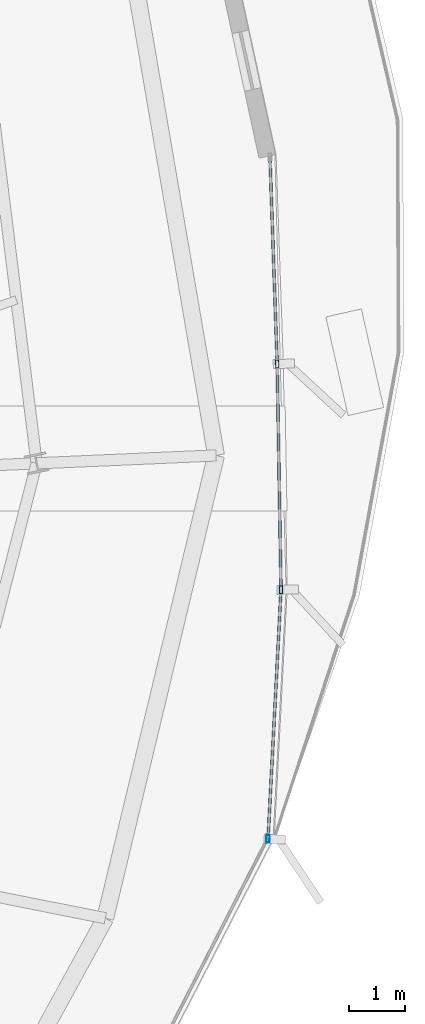
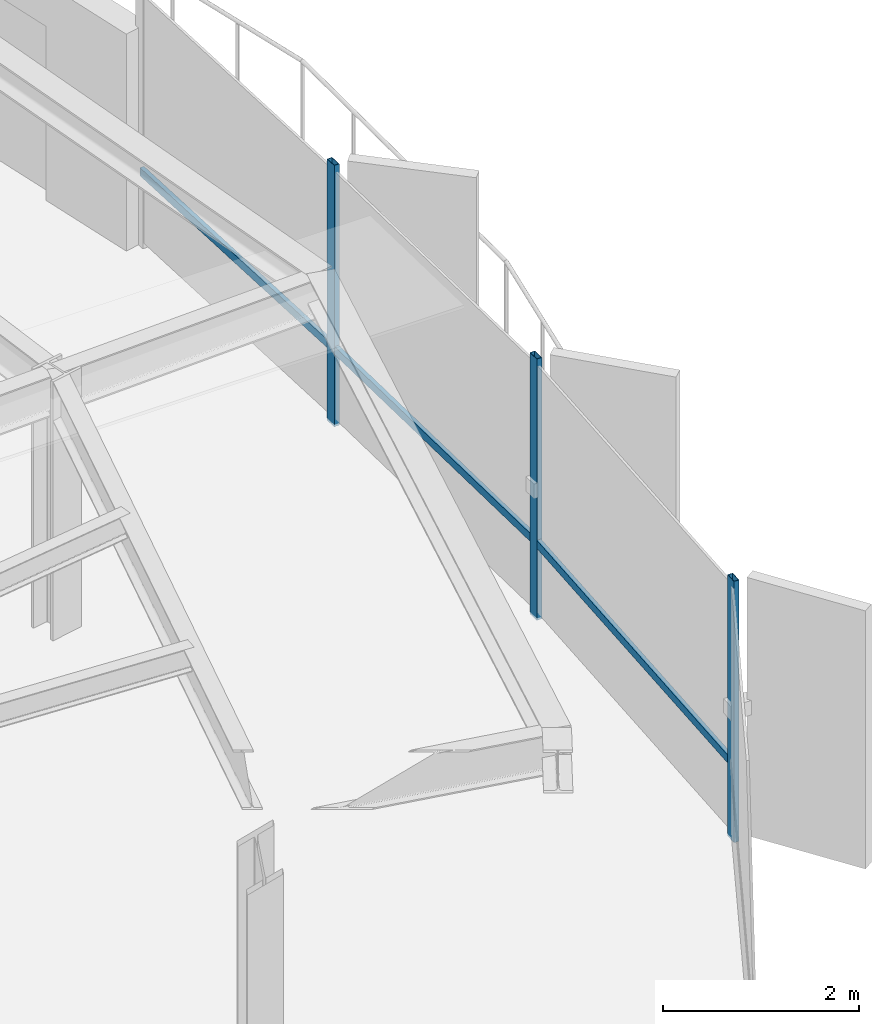
# One storey, part 19 of 35: 6 members, 1 element without a shape of its own.
"""IFC4 building model written with IfcOpenShell, lengths in metres."""

from ifc_helpers import new_model, si_unit, direction, frame, origin, origin_2d, place, context, subcontext, project, spatial, hollow_rectangle, extrude, source, transform, mapped, material, layer, layer_set, material_profile, profile_set, type_object, element, aggregate, save


model = new_model("IFC4")

# Units and contexts
model_context = context("Model", 3, precision=1e-05, world=origin(), true_north=direction((0.0, 1.0)))
body_context = subcontext(model_context, "Body", "Model", "MODEL_VIEW")
ifc_project = project(units=[si_unit("LENGTHUNIT", "METRE"), si_unit("AREAUNIT", "SQUARE_METRE"), si_unit("VOLUMEUNIT", "CUBIC_METRE"), si_unit("PLANEANGLEUNIT", "RADIAN"), si_unit("MASSUNIT", "GRAM", prefix="KILO"), si_unit("THERMODYNAMICTEMPERATUREUNIT", "KELVIN")], contexts=[model_context])

# Site, building, storey
site_placement = place(None, origin())
site = spatial("IfcSite", under=ifc_project, at=site_placement, CompositionType="ELEMENT")
building_placement = place(site_placement, origin())
building = spatial("IfcBuilding", under=site, at=building_placement, Name="Kethvar Cultural Tower", CompositionType="ELEMENT")
storey_placement = place(building_placement, frame((0.0, 0.0, 179.89990234375)))
storey = spatial("IfcBuildingStorey", under=building, at=storey_placement, Name="L46", CompositionType="ELEMENT", Elevation=179.89990234375)

# Curtain wall, members
ifc_material = material(Name="Aluminium 6063-T6", Category="aluminium")
ifc_layer = layer(ifc_material, 0.179931640625, Name="Aluminium 6063-T6", Category="aluminium")
ifc_layer_set = layer_set([ifc_layer], Name="Aluminium 6063-T6 (180 mm)")
curtain_wall_type = type_object("IfcCurtainWallType", Name="CW-SYS-04-Z34", PredefinedType="NOTDEFINED", material=ifc_layer_set)
curtain_wall_placement = place(storey_placement, origin())
curtain_wall = element("IfcCurtainWall", 1, at=curtain_wall_placement, inside=storey, type_object=curtain_wall_type, Name="L46 Curtain Wall Run 06", PredefinedType="NOTDEFINED")
ifc_material_profile_1 = material_profile(ifc_material, hollow_rectangle(XDim=0.06005859375, YDim=0.139892578125, WallThickness=0.0048828125, at=origin_2d()), Name="Aluminium 6063-T6 — RHS140x60x5")
ifc_profile_set_1 = profile_set([ifc_material_profile_1], Name="Aluminium 6063-T6 — RHS140x60x5")
member_type_1 = type_object("IfcMemberType", Name="CW-SYS-04-Z34-MUL", PredefinedType="MULLION", material=ifc_profile_set_1)
shared_shape_1 = source(origin(), body_context, "Body", "SweptSolid", [
    extrude(hollow_rectangle(XDim=0.06005859375, YDim=0.139892578125, WallThickness=0.0048828125, at=origin_2d()), origin(), (0.0, 0.0, 1.0), 3.260009765625),
])
member_1_placement = place(storey_placement, frame((70.68701171875, 25.039794921875, 0.0), z_axis=(0.0, 0.0, 1.0), x_axis=(-0.998640474069, 0.052126802616, 0.0)))
member_1 = element("IfcMember", 2, at=member_1_placement, type_object=member_type_1, Name="CW-L46-R06 Mullion 2", PredefinedType="MULLION", context=body_context, shape_type="MappedRepresentation", body=[
    mapped(shared_shape_1, transform((0.0, 0.0, 0.0), scale=1.0)),
])
member_2_placement = place(storey_placement, frame((70.9189453125, 29.47802734375, 0.0), z_axis=(0.0, 0.0, 1.0), x_axis=(-0.999852529803, -0.017173195612, 0.0)))
member_2 = element("IfcMember", 3, at=member_2_placement, type_object=member_type_1, Name="CW-L46-R06 Mullion 3", PredefinedType="MULLION", context=body_context, shape_type="MappedRepresentation", body=[
    mapped(shared_shape_1, transform((0.0, 0.0, 0.0), scale=1.0)),
])
member_3_placement = place(storey_placement, frame((70.849853515625, 33.50048828125, 0.0), z_axis=(0.0, 0.0, 1.0), x_axis=(-0.999395690166, -0.034759955079, 0.0)))
member_3 = element("IfcMember", 4, at=member_3_placement, type_object=member_type_1, Name="CW-L46-R06 Mullion 4", PredefinedType="MULLION", context=body_context, shape_type="MappedRepresentation", body=[
    mapped(shared_shape_1, transform((0.0, 0.0, 0.0), scale=1.0)),
])
ifc_material_profile_2 = material_profile(ifc_material, hollow_rectangle(XDim=0.050048828125, YDim=0.10009765625, WallThickness=0.00390625, at=origin_2d()), Name="Aluminium 6063-T6 — RHS100x50x4")
ifc_profile_set_2 = profile_set([ifc_material_profile_2], Name="Aluminium 6063-T6 — RHS100x50x4")
member_type_2 = type_object("IfcMemberType", Name="CW-SYS-04-Z34-TRN", PredefinedType="USERDEFINED", material=ifc_profile_set_2)
shared_shape_2 = source(origin(), body_context, "Body", "SweptSolid", [
    extrude(hollow_rectangle(XDim=0.050048828125, YDim=0.10009765625, WallThickness=0.00390625, at=origin_2d()), origin(), (0.0, 0.0, 1.0), 4.365234375),
])
member_4_placement = place(storey_placement, frame((70.689208984375, 25.0830078125, 0.9501953125), z_axis=(0.052124386166, 0.998640600199, 0.0), x_axis=(-0.998640600199, 0.052124386166, 0.0)))
member_4 = element("IfcMember", 5, at=member_4_placement, type_object=member_type_2, Name="CW-L46-R06 Transom 2", ObjectType="TRANSOM", PredefinedType="USERDEFINED", context=body_context, shape_type="MappedRepresentation", body=[
    mapped(shared_shape_2, transform((0.0, 0.0, 0.0), scale=1.0)),
])
shared_shape_3 = source(origin(), body_context, "Body", "SweptSolid", [
    extrude(hollow_rectangle(XDim=0.050048828125, YDim=0.10009765625, WallThickness=0.00390625, at=origin_2d()), origin(), (0.0, 0.0, 1.0), 3.9384765625),
])
member_5_placement = place(storey_placement, frame((70.918212890625, 29.521240234375, 0.9501953125), z_axis=(-0.017170437934, 0.999852577164, 0.0), x_axis=(-0.999852577164, -0.017170437934, 0.0)))
member_5 = element("IfcMember", 6, at=member_5_placement, type_object=member_type_2, Name="CW-L46-R06 Transom 3", ObjectType="TRANSOM", PredefinedType="USERDEFINED", context=body_context, shape_type="MappedRepresentation", body=[
    mapped(shared_shape_3, transform((0.0, 0.0, 0.0), scale=1.0)),
])
shared_shape_4 = source(origin(), body_context, "Body", "SweptSolid", [
    extrude(hollow_rectangle(XDim=0.050048828125, YDim=0.10009765625, WallThickness=0.00390625, at=origin_2d()), origin(), (0.0, 0.0, 1.0), 3.644775390625),
])
member_6_placement = place(storey_placement, frame((70.848388671875, 33.543701171875, 0.9501953125), z_axis=(-0.03476449606, 0.999395532216, 0.0), x_axis=(-0.999395532216, -0.03476449606, 0.0)))
member_6 = element("IfcMember", 7, at=member_6_placement, type_object=member_type_2, Name="CW-L46-R06 Transom 4", ObjectType="TRANSOM", PredefinedType="USERDEFINED", context=body_context, shape_type="MappedRepresentation", body=[
    mapped(shared_shape_4, transform((0.0, 0.0, 0.0), scale=1.0)),
])
aggregate(curtain_wall, [member_1, member_2, member_3, member_4, member_5, member_6])

save(model, "model.ifc")
